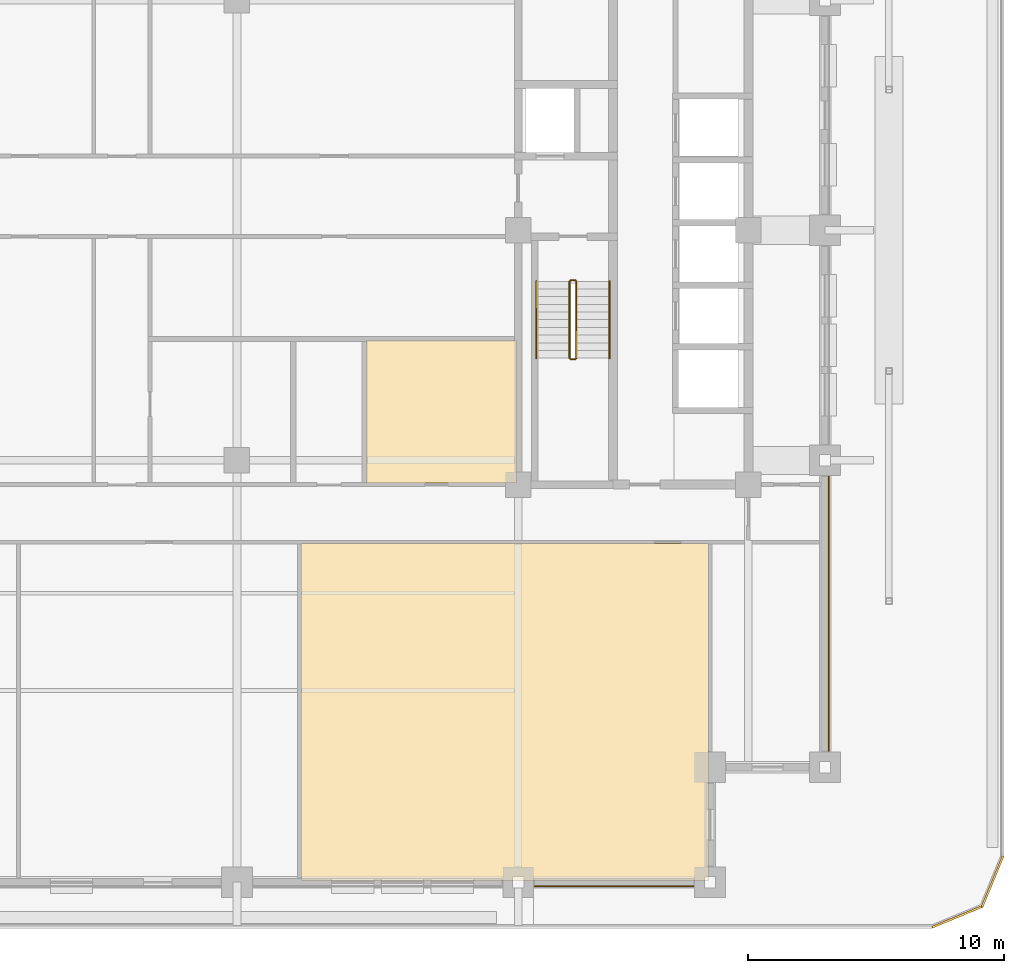
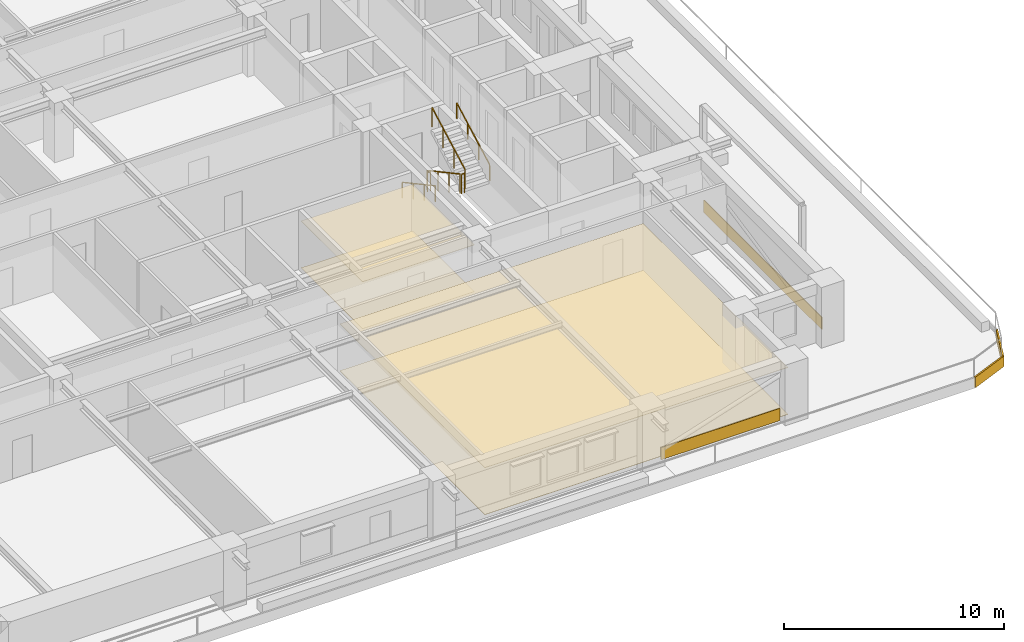
# One storey, part 16 of 17: 8 coverings, 6 railings.
"""IFC4 building model written with IfcOpenShell, lengths in metres."""

from ifc_helpers import new_model, si_unit, direction, frame, frame_2d, origin, origin_2d, place, context, subcontext, project, spatial, polyline, rectangle, outline, extrude, material, layer, layer_set, type_object, element, save


model = new_model("IFC4")

# Units and contexts
model_context = context("Model", 3, precision=1e-05, world=origin(), true_north=direction((0.0, 1.0)))
body_context = subcontext(model_context, "Body", "Model", "MODEL_VIEW")
ifc_project = project(units=[si_unit("LENGTHUNIT", "METRE"), si_unit("AREAUNIT", "SQUARE_METRE"), si_unit("VOLUMEUNIT", "CUBIC_METRE"), si_unit("PLANEANGLEUNIT", "RADIAN"), si_unit("MASSUNIT", "GRAM", prefix="KILO")], contexts=[model_context])

# Site, building, storey
site_placement = place(None, origin())
site = spatial("IfcSite", under=ifc_project, at=site_placement, CompositionType="ELEMENT")
building_placement = place(site_placement, origin())
building = spatial("IfcBuilding", under=site, at=building_placement, Name="Zulmaris Gate Convention Tower", CompositionType="ELEMENT")
storey_placement = place(building_placement, frame((0.0, 0.0, 121.349853515625)))
storey = spatial("IfcBuildingStorey", under=building, at=storey_placement, Name="L30", CompositionType="ELEMENT", Elevation=121.349853515625)

# Coverings
ifc_material_1 = material(Name="Precast concrete C40/50", Category="concrete")
ifc_layer_1 = layer(ifc_material_1, 0.0400390625, Name="Precast concrete C40/50")
ifc_layer_set_1 = layer_set([ifc_layer_1], Name="Precast concrete C40/50")
covering_type_1 = type_object("IfcCoveringType", Name="CLAD-SPANDREL-PRECAST", PredefinedType="CLADDING", material=ifc_layer_set_1)
covering_1_placement = place(storey_placement, frame((11.6298828125, -25.64990234375, 0.0), z_axis=(0.0, 0.0, 1.0), x_axis=(1.0, 0.0, 0.0)))
element("IfcCovering", 1, at=covering_1_placement, inside=storey, type_object=covering_type_1, Name="CLD-L30-S-3_0", PredefinedType="CLADDING", context=body_context, shape_type="SweptSolid", body=[
    extrude(rectangle(XDim=6.240234375, YDim=0.0400390625, at=frame_2d((3.1201171875, 0.0))), origin(), (0.0, 0.0, 1.0), 0.679931640625),
])
covering_2_placement = place(storey_placement, frame((23.14990234375, -20.3701171875, 0.0), z_axis=(0.0, 0.0, 1.0), x_axis=(0.0, 1.0, 0.0)))
element("IfcCovering", 2, at=covering_2_placement, inside=storey, type_object=covering_type_1, Name="CLD-L30-E-0_0", PredefinedType="CLADDING", context=body_context, shape_type="SweptSolid", body=[
    extrude(rectangle(XDim=10.740234375, YDim=0.0400390625, at=frame_2d((5.3701171875, 0.0))), origin(), (0.0, 0.0, 1.0), 0.679931640625),
])
ifc_material_2 = material(Name="White Glazed Architectural Precast Concrete C40/50", Category="concrete")
ifc_layer_2 = layer(ifc_material_2, 0.080078125, Name="White Glazed Architectural Precast Concrete C40/50")
ifc_layer_set_2 = layer_set([ifc_layer_2], Name="White Glazed Architectural Precast Concrete C40/50")
covering_type_2 = type_object("IfcCoveringType", Name="CLAD-TRAY-FASCIA", PredefinedType="CLADDING", material=ifc_layer_set_2)
covering_3_placement = place(storey_placement, frame((27.184814453125, -27.262939453125, -0.46484375), z_axis=(0.0, 0.0, 1.0), x_axis=(0.923873803533, 0.382697263049, 0.0)))
element("IfcCovering", 3, at=covering_3_placement, inside=storey, type_object=covering_type_2, Name="FSC-L30-TR-03", PredefinedType="CLADDING", context=body_context, shape_type="SweptSolid", body=[
    extrude(rectangle(XDim=2.142822265625, YDim=0.080078125, at=frame_2d((1.0712890625, 0.0))), origin(), (0.0, 0.0, 1.0), 0.5849609375),
])
covering_4_placement = place(storey_placement, frame((29.142822265625, -26.464599609375, -0.46484375), z_axis=(0.0, 0.0, 1.0), x_axis=(0.382656984709, 0.923890487046, 0.0)))
element("IfcCovering", 4, at=covering_4_placement, inside=storey, type_object=covering_type_2, Name="FSC-L30-TR-04", PredefinedType="CLADDING", context=body_context, shape_type="SweptSolid", body=[
    extrude(rectangle(XDim=2.14306640625, YDim=0.080078125, at=frame_2d((1.071533203125, 0.0))), origin(), (0.0, 0.0, 1.0), 0.5849609375),
])
ifc_material_3 = material(Name="Mineral Fibre Acoustic Ceiling Tile")
ifc_layer_3 = layer(ifc_material_3, 0.02001953125, Name="Mineral Fibre Acoustic Ceiling Tile")
ifc_layer_set_3 = layer_set([ifc_layer_3], Name="Mineral Fibre Acoustic Ceiling Tile")
covering_type_3 = type_object("IfcCoveringType", Name="CLG-ACOUSTIC-600", PredefinedType="CEILING", material=ifc_layer_set_3)
covering_5_placement = place(storey_placement, frame((0.0, 0.0, 2.60302734375)))
element("IfcCovering", 5, at=covering_5_placement, inside=storey, type_object=covering_type_3, Name="CLG-L30-R38", PredefinedType="CEILING", context=body_context, shape_type="SweptSolid", body=[
    extrude(outline(polyline([(2.510009765625, -25.43994140625), (18.43994140625, -25.43994140625), (18.43994140625, -12.260009765625), (2.510009765625, -12.260009765625), (2.510009765625, -25.43994140625)])), origin(), (0.0, 0.0, 1.0), 0.02001953125),
])
covering_6_placement = place(storey_placement, frame((0.0, 0.0, 2.60302734375)))
element("IfcCovering", 6, at=covering_6_placement, inside=storey, type_object=covering_type_3, Name="CLG-L30-R45", PredefinedType="CEILING", context=body_context, shape_type="SweptSolid", body=[
    extrude(outline(polyline([(5.06005859375, -9.889892578125), (10.93994140625, -9.889892578125), (10.93994140625, -4.31005859375), (5.06005859375, -4.31005859375), (5.06005859375, -9.889892578125)])), origin(), (0.0, 0.0, 1.0), 0.02001953125),
])
ifc_material_4 = material(Name="Woven Acoustic Wool Carpet Tile")
ifc_layer_4 = layer(ifc_material_4, 0.02001953125, Name="Woven Acoustic Wool Carpet Tile")
ifc_layer_set_4 = layer_set([ifc_layer_4], Name="Woven Acoustic Wool Carpet Tile")
covering_type_4 = type_object("IfcCoveringType", Name="FLR-CARPET-12", PredefinedType="FLOORING", material=ifc_layer_set_4)
covering_7_placement = place(storey_placement, origin())
element("IfcCovering", 7, at=covering_7_placement, inside=storey, type_object=covering_type_4, Name="FLR-L30-R38", PredefinedType="FLOORING", context=body_context, shape_type="SweptSolid", body=[
    extrude(outline(polyline([(2.510009765625, -25.43994140625), (18.43994140625, -25.43994140625), (18.43994140625, -12.260009765625), (2.510009765625, -12.260009765625), (2.510009765625, -25.43994140625)])), origin(), (0.0, 0.0, 1.0), 0.02001953125),
])
covering_8_placement = place(storey_placement, origin())
element("IfcCovering", 8, at=covering_8_placement, inside=storey, type_object=covering_type_4, Name="FLR-L30-R45", PredefinedType="FLOORING", context=body_context, shape_type="SweptSolid", body=[
    extrude(outline(polyline([(5.06005859375, -9.889892578125), (10.93994140625, -9.889892578125), (10.93994140625, -4.31005859375), (5.06005859375, -4.31005859375), (5.06005859375, -9.889892578125)])), origin(), (0.0, 0.0, 1.0), 0.02001953125),
])

# Railings
ifc_material_5 = material(Name="Painted Galvanised Steel", Category="steel")
railing_type_1 = type_object("IfcRailingType", Name="RL-STG-1150", PredefinedType="GUARDRAIL", material=ifc_material_5)
railing_1_placement = place(storey_placement, frame((13.010009765625, -2.0, 0.162353515625)))
element("IfcRailing", 9, at=railing_1_placement, inside=storey, type_object=railing_type_1, Name="L30 ST-2 stair guard 1", PredefinedType="GUARDRAIL", context=body_context, shape_type="SweptSolid", body=[
    extrude(rectangle(XDim=0.048095703125, YDim=0.048095703125, at=origin_2d()), frame((0.0, 0.0, 1.076171875), z_axis=(0.0, -0.8795616155, 0.475784998228), x_axis=(1.0, 0.0, 0.0)), (0.0, 0.0, 1.0), 3.410888671875),
    extrude(rectangle(XDim=0.0419921875, YDim=0.0419921875, at=origin_2d()), origin(), (0.0, 0.0, 1.0), 1.052001953125),
    extrude(rectangle(XDim=0.0419921875, YDim=0.0419921875, at=origin_2d()), frame((0.0, -1.0, 0.541015625)), (0.0, 0.0, 1.0), 1.052001953125),
    extrude(rectangle(XDim=0.0419921875, YDim=0.0419921875, at=origin_2d()), frame((0.0, -2.0, 1.081787109375)), (0.0, 0.0, 1.0), 1.052001953125),
    extrude(rectangle(XDim=0.0419921875, YDim=0.0419921875, at=origin_2d()), frame((0.0, -3.0, 1.622802734375)), (0.0, 0.0, 1.0), 1.052001953125),
])
railing_2_placement = place(storey_placement, frame((13.06005859375, -5.050048828125, 1.78515625)))
element("IfcRailing", 10, at=railing_2_placement, inside=storey, type_object=railing_type_1, Name="L30 ST-2 stair guard 2", PredefinedType="GUARDRAIL", context=body_context, shape_type="SweptSolid", body=[
    extrude(rectangle(XDim=0.048095703125, YDim=0.048095703125, at=origin_2d()), frame((0.0, 0.0, 1.076171875), z_axis=(1.0, 0.0, 0.0), x_axis=(0.0, 1.0, 0.0)), (0.0, 0.0, 1.0), 0.159912109375),
    extrude(rectangle(XDim=0.0419921875, YDim=0.0419921875, at=origin_2d()), origin(), (0.0, 0.0, 1.0), 1.052001953125),
    extrude(rectangle(XDim=0.0419921875, YDim=0.0419921875, at=origin_2d()), frame((0.159912109375, 0.0, 0.0)), (0.0, 0.0, 1.0), 1.052001953125),
])
railing_3_placement = place(storey_placement, frame((13.27001953125, -5.0, 1.947265625)))
element("IfcRailing", 11, at=railing_3_placement, inside=storey, type_object=railing_type_1, Name="L30 ST-2 stair guard 3", PredefinedType="GUARDRAIL", context=body_context, shape_type="SweptSolid", body=[
    extrude(rectangle(XDim=0.048095703125, YDim=0.048095703125, at=origin_2d()), frame((0.0, 0.0, 1.076171875), z_axis=(0.0, 0.8795616155, 0.475784998228), x_axis=(-1.0, 0.0, 0.0)), (0.0, 0.0, 1.0), 3.410888671875),
    extrude(rectangle(XDim=0.0419921875, YDim=0.0419921875, at=origin_2d()), origin(), (0.0, 0.0, 1.0), 1.052001953125),
    extrude(rectangle(XDim=0.0419921875, YDim=0.0419921875, at=origin_2d()), frame((0.0, 1.0, 0.541015625)), (0.0, 0.0, 1.0), 1.052001953125),
    extrude(rectangle(XDim=0.0419921875, YDim=0.0419921875, at=origin_2d()), frame((0.0, 2.0, 1.081787109375)), (0.0, 0.0, 1.0), 1.052001953125),
    extrude(rectangle(XDim=0.0419921875, YDim=0.0419921875, at=origin_2d()), frame((0.0, 3.0, 1.622802734375)), (0.0, 0.0, 1.0), 1.052001953125),
])
railing_4_placement = place(storey_placement, frame((13.06005859375, -1.949951171875, 0.0)))
element("IfcRailing", 12, at=railing_4_placement, inside=storey, type_object=railing_type_1, Name="L30 ST-2 stair guard 4", PredefinedType="GUARDRAIL", context=body_context, shape_type="SweptSolid", body=[
    extrude(rectangle(XDim=0.048095703125, YDim=0.048095703125, at=origin_2d()), frame((0.0, 0.0, 1.076171875), z_axis=(1.0, 0.0, 0.0), x_axis=(0.0, 1.0, 0.0)), (0.0, 0.0, 1.0), 0.159912109375),
    extrude(rectangle(XDim=0.0419921875, YDim=0.0419921875, at=origin_2d()), origin(), (0.0, 0.0, 1.0), 1.052001953125),
    extrude(rectangle(XDim=0.0419921875, YDim=0.0419921875, at=origin_2d()), frame((0.159912109375, 0.0, 0.0)), (0.0, 0.0, 1.0), 1.052001953125),
])
ifc_material_6 = material(Name="Brushed Stainless Steel", Category="steel")
railing_type_2 = type_object("IfcRailingType", Name="RL-STH-900", PredefinedType="HANDRAIL", material=ifc_material_6)
railing_5_placement = place(storey_placement, frame((11.7099609375, -2.0, 0.162353515625)))
element("IfcRailing", 13, at=railing_5_placement, inside=storey, type_object=railing_type_2, Name="L30 ST-2 stair handrail 1", PredefinedType="HANDRAIL", context=body_context, shape_type="SweptSolid", body=[
    extrude(rectangle(XDim=0.048095703125, YDim=0.048095703125, at=origin_2d()), frame((0.0, 0.0, 0.8759765625), z_axis=(0.0, -0.8795616155, 0.475784998228), x_axis=(1.0, 0.0, 0.0)), (0.0, 0.0, 1.0), 3.410888671875),
    extrude(rectangle(XDim=0.0419921875, YDim=0.0419921875, at=origin_2d()), origin(), (0.0, 0.0, 1.0), 0.851806640625),
    extrude(rectangle(XDim=0.0419921875, YDim=0.0419921875, at=origin_2d()), frame((0.0, -1.0, 0.541015625)), (0.0, 0.0, 1.0), 0.851806640625),
    extrude(rectangle(XDim=0.0419921875, YDim=0.0419921875, at=origin_2d()), frame((0.0, -2.0, 1.081787109375)), (0.0, 0.0, 1.0), 0.851806640625),
    extrude(rectangle(XDim=0.0419921875, YDim=0.0419921875, at=origin_2d()), frame((0.0, -3.0, 1.622802734375)), (0.0, 0.0, 1.0), 0.851806640625),
])
railing_6_placement = place(storey_placement, frame((14.570068359375, -5.0, 1.947265625)))
element("IfcRailing", 14, at=railing_6_placement, inside=storey, type_object=railing_type_2, Name="L30 ST-2 stair handrail 2", PredefinedType="HANDRAIL", context=body_context, shape_type="SweptSolid", body=[
    extrude(rectangle(XDim=0.048095703125, YDim=0.048095703125, at=origin_2d()), frame((0.0, 0.0, 0.8759765625), z_axis=(0.0, 0.8795616155, 0.475784998228), x_axis=(-1.0, 0.0, 0.0)), (0.0, 0.0, 1.0), 3.410888671875),
    extrude(rectangle(XDim=0.0419921875, YDim=0.0419921875, at=origin_2d()), origin(), (0.0, 0.0, 1.0), 0.851806640625),
    extrude(rectangle(XDim=0.0419921875, YDim=0.0419921875, at=origin_2d()), frame((0.0, 1.0, 0.541015625)), (0.0, 0.0, 1.0), 0.851806640625),
    extrude(rectangle(XDim=0.0419921875, YDim=0.0419921875, at=origin_2d()), frame((0.0, 2.0, 1.081787109375)), (0.0, 0.0, 1.0), 0.851806640625),
    extrude(rectangle(XDim=0.0419921875, YDim=0.0419921875, at=origin_2d()), frame((0.0, 3.0, 1.622802734375)), (0.0, 0.0, 1.0), 0.851806640625),
])

save(model, "model.ifc")
